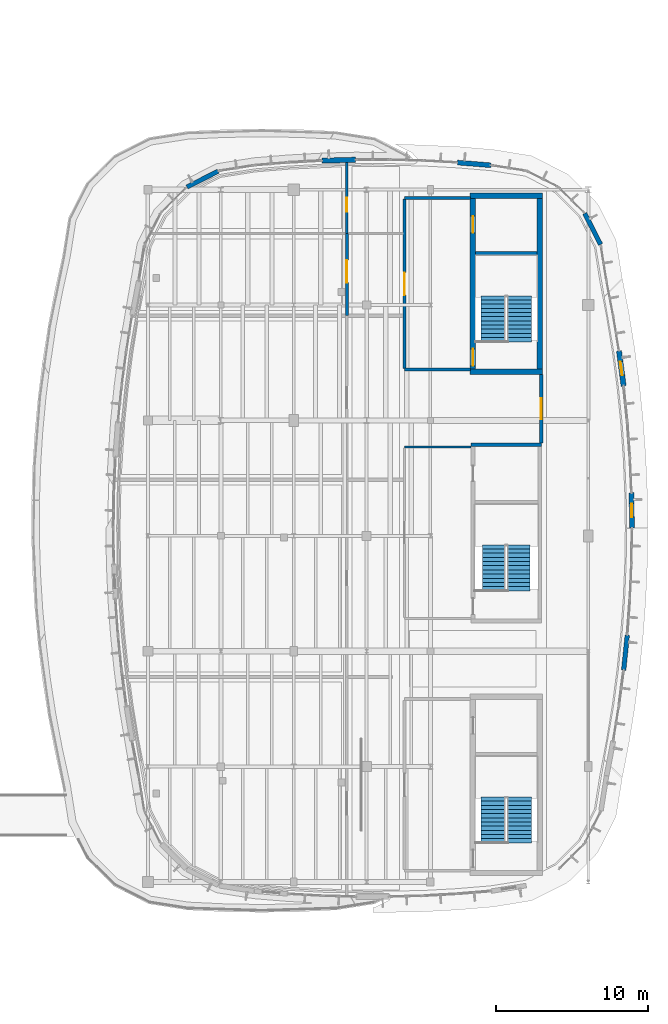
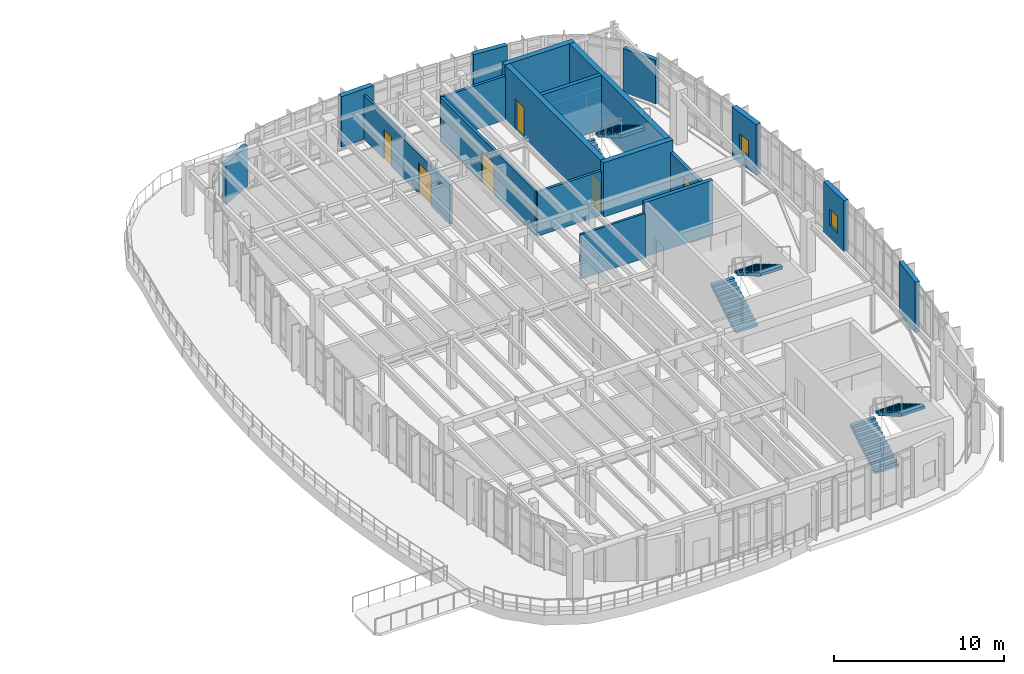
# One storey, part 87 of 105: 20 walls, 6 doors, 6 stair flights, 2 windows, 8 openings, 3 elements without a shape of their own.
"""IFC4 building model written with IfcOpenShell, lengths in metres."""

from ifc_helpers import new_model, si_unit, direction, frame, frame_2d, origin, place, context, subcontext, project, spatial, polyline, rectangle, outline, extrude, material, layer, layer_set, type_object, element, fill, aggregate, save


model = new_model("IFC4")

# Units and contexts
model_context = context("Model", 3, precision=1e-05, world=origin(), true_north=direction((0.0, 1.0)))
body_context = subcontext(model_context, "Body", "Model", "MODEL_VIEW")
ifc_project = project(units=[si_unit("LENGTHUNIT", "METRE"), si_unit("AREAUNIT", "SQUARE_METRE"), si_unit("VOLUMEUNIT", "CUBIC_METRE"), si_unit("PLANEANGLEUNIT", "RADIAN"), si_unit("MASSUNIT", "GRAM", prefix="KILO")], contexts=[model_context])

# Site, building, storey
site_placement = place(None, origin())
site = spatial("IfcSite", under=ifc_project, at=site_placement, CompositionType="ELEMENT")
building_placement = place(site_placement, origin())
building = spatial("IfcBuilding", under=site, at=building_placement, Name="Corveleigh Park Community Centre", CompositionType="ELEMENT")
storey_placement = place(building_placement, frame((0.0, 0.0, 8.699951171875)))
storey = spatial("IfcBuildingStorey", under=building, at=storey_placement, Name="L02", CompositionType="ELEMENT", Elevation=8.699951171875)

# Walls
ifc_material_1 = material(Name="Precast concrete C40/50", Category="concrete")
ifc_layer_1 = layer(ifc_material_1, 0.300048828125, Name="Precast concrete C40/50", Category="concrete")
ifc_layer_set_1 = layer_set([ifc_layer_1], Name="Precast concrete C40/50")
wall_type_1 = type_object("IfcWallType", Name="WL-EXT-300", PredefinedType="STANDARD", material=ifc_layer_set_1)
wall_1_placement = place(storey_placement, frame((170.967041015625, 74.864990234375, 0.0), z_axis=(0.0, 0.0, 1.0), x_axis=(-0.102329791642, -0.994750528395, 0.0)))
element("IfcWall", 1, at=wall_1_placement, inside=storey, type_object=wall_type_1, Name="V4 L02 Precast Facade Wall", PredefinedType="STANDARD", context=body_context, shape_type="SweptSolid", body=[
    extrude(rectangle(XDim=2.326171875, YDim=0.300048828125, at=frame_2d((1.1630859375, 0.0))), origin(), (0.0, 0.0, 1.0), 3.64208984375),
])
wall_2_placement = place(storey_placement, frame((168.166015625, 102.633056640625, 0.0), z_axis=(0.0, 0.0, 1.0), x_axis=(0.454118092615, -0.890941500863, 0.0)))
element("IfcWall", 2, at=wall_2_placement, inside=storey, type_object=wall_type_1, Name="V4 L02 Precast Facade Wall", PredefinedType="STANDARD", context=body_context, shape_type="SweptSolid", body=[
    extrude(rectangle(XDim=2.301025390625, YDim=0.300048828125, at=frame_2d((1.150390625, 0.0))), origin(), (0.0, 0.0, 1.0), 3.1669921875),
])
wall_3_placement = place(storey_placement, frame((141.967041015625, 104.365966796875, 0.0), z_axis=(0.0, 0.0, 1.0), x_axis=(0.890941500863, 0.454118092615, 0.0)))
element("IfcWall", 3, at=wall_3_placement, inside=storey, type_object=wall_type_1, Name="V4 L02 Precast Facade Wall", PredefinedType="STANDARD", context=body_context, shape_type="SweptSolid", body=[
    extrude(rectangle(XDim=2.301025390625, YDim=0.300048828125, at=frame_2d((1.150390625, 0.0))), origin(), (0.0, 0.0, 1.0), 2.945068359375),
])

# Wall, opening, window
ifc_layer_2 = layer(ifc_material_1, 0.320068359375, Name="Precast concrete C40/50", Category="concrete")
ifc_layer_set_2 = layer_set([ifc_layer_2], Name="Precast concrete C40/50")
wall_type_2 = type_object("IfcWallType", Name="WL-EXT-320", PredefinedType="STANDARD", material=ifc_layer_set_2)
wall_4_placement = place(storey_placement, frame((171.242919921875, 84.236083984375, 0.0), z_axis=(0.0, 0.0, 1.0), x_axis=(0.014685784948, -0.999892158045, 0.0)))
wall_4 = element("IfcWall", 4, at=wall_4_placement, inside=storey, type_object=wall_type_2, Name="V4 L02 Precast Facade Wall", PredefinedType="STANDARD", context=body_context, shape_type="SweptSolid", body=[
    extrude(rectangle(XDim=2.327392578125, YDim=0.320068359375, at=frame_2d((1.16357421875, 0.0))), origin(), (0.0, 0.0, 1.0), 3.64208984375),
])
opening_1_placement = place(wall_4_placement, frame((0.714111328125, 0.0, 0.89990234375)))
opening_1 = element("IfcOpeningElement", 5, at=opening_1_placement, cuts=wall_4, Name="Opening W01", PredefinedType="OPENING", context=body_context, shape_type="SweptSolid", body=[
    extrude(rectangle(XDim=0.89990234375, YDim=1.199951171875, at=frame_2d((0.449951171875, 0.60009765625))), frame((0.0, 0.169921875, 0.0), z_axis=(0.0, -1.0, 0.0), x_axis=(1.0, 0.0, 0.0)), (0.0, 0.0, 1.0), 0.340087890625),
])
ifc_material_2 = material(Name="Low-E double glazing", Category="glass")
window_type = type_object("IfcWindowType", Name="WIN-EXT-0900x1200", PartitioningType="SINGLE_PANEL", PredefinedType="WINDOW", material=ifc_material_2)
window_1_placement = place(opening_1_placement, origin())
window_1 = element("IfcWindow", 6, at=window_1_placement, inside=storey, type_object=window_type, Name="V4 L02 Window 67", OverallHeight=1.199951171875, OverallWidth=0.89990234375, PartitioningType="SINGLE_PANEL", PredefinedType="WINDOW", context=body_context, shape_type="SweptSolid", body=[
    extrude(rectangle(XDim=0.89990234375, YDim=1.199951171875, at=frame_2d((0.449951171875, 0.60009765625))), frame((0.0, 0.030029296875, 0.0), z_axis=(0.0, -1.0, 0.0), x_axis=(1.0, 0.0, 0.0)), (0.0, 0.0, 1.0), 0.06005859375),
])
fill(opening_1, window_1)

# Wall
wall_5_placement = place(storey_placement, frame((159.784912109375, 105.98291015625, 0.0), z_axis=(0.0, 0.0, 1.0), x_axis=(0.996606448947, -0.08231394728, 0.0)))
element("IfcWall", 7, at=wall_5_placement, inside=storey, type_object=wall_type_2, Name="V4 L02 Precast Facade Wall", PredefinedType="STANDARD", context=body_context, shape_type="SweptSolid", body=[
    extrude(rectangle(XDim=2.209716796875, YDim=0.320068359375, at=frame_2d((1.10498046875, 0.0))), origin(), (0.0, 0.0, 1.0), 3.612060546875),
])

# Wall, opening, window
ifc_layer_3 = layer(ifc_material_1, 0.340087890625, Name="Precast concrete C40/50", Category="concrete")
ifc_layer_set_3 = layer_set([ifc_layer_3], Name="Precast concrete C40/50")
wall_type_3 = type_object("IfcWallType", Name="WL-EXT-340", PredefinedType="STANDARD", material=ifc_layer_set_3)
wall_6_placement = place(storey_placement, frame((170.4208984375, 93.573974609375, 0.0), z_axis=(0.0, 0.0, 1.0), x_axis=(0.131558965706, -0.991308346854, 0.0)))
wall_6 = element("IfcWall", 8, at=wall_6_placement, inside=storey, type_object=wall_type_3, Name="V4 L02 Precast Facade Wall", PredefinedType="STANDARD", context=body_context, shape_type="SweptSolid", body=[
    extrude(rectangle(XDim=2.3271484375, YDim=0.340087890625, at=frame_2d((1.16357421875, 0.0))), origin(), (0.0, 0.0, 1.0), 3.64208984375),
])
opening_2_placement = place(wall_6_placement, frame((0.714111328125, 0.0, 0.89990234375)))
opening_2 = element("IfcOpeningElement", 9, at=opening_2_placement, cuts=wall_6, Name="Opening W01", PredefinedType="OPENING", context=body_context, shape_type="SweptSolid", body=[
    extrude(rectangle(XDim=0.89990234375, YDim=1.199951171875, at=frame_2d((0.449951171875, 0.60009765625))), frame((0.0, 0.179931640625, 0.0), z_axis=(0.0, -1.0, 0.0), x_axis=(1.0, 0.0, 0.0)), (0.0, 0.0, 1.0), 0.360107421875),
])
window_2_placement = place(opening_2_placement, origin())
window_2 = element("IfcWindow", 10, at=window_2_placement, inside=storey, type_object=window_type, Name="V4 L02 Window 68", OverallHeight=1.199951171875, OverallWidth=0.89990234375, PartitioningType="SINGLE_PANEL", PredefinedType="WINDOW", context=body_context, shape_type="SweptSolid", body=[
    extrude(rectangle(XDim=0.89990234375, YDim=1.199951171875, at=frame_2d((0.449951171875, 0.60009765625))), frame((0.0, 0.030029296875, 0.0), z_axis=(0.0, -1.0, 0.0), x_axis=(1.0, 0.0, 0.0)), (0.0, 0.0, 1.0), 0.06005859375),
])
fill(opening_2, window_2)

# Walls
wall_7_placement = place(storey_placement, frame((150.862060546875, 106.10693359375, 0.0), z_axis=(0.0, 0.0, 1.0), x_axis=(0.999607588296, 0.028011951393, 0.0)))
element("IfcWall", 11, at=wall_7_placement, inside=storey, type_object=wall_type_3, Name="V4 L02 Precast Facade Wall", PredefinedType="STANDARD", context=body_context, shape_type="SweptSolid", body=[
    extrude(rectangle(XDim=2.2138671875, YDim=0.340087890625, at=frame_2d((1.10693359375, 0.0))), origin(), (0.0, 0.0, 1.0), 3.636962890625),
])
ifc_material_3 = material(Name="Gypsum acoustic stud partition", Category="gypsum")
ifc_layer_4 = layer(ifc_material_3, 0.14990234375, Name="Gypsum acoustic stud partition", Category="gypsum")
ifc_layer_set_4 = layer_set([ifc_layer_4], Name="Gypsum acoustic stud partition")
wall_type_4 = type_object("IfcWallType", Name="WL-PRT-150", PredefinedType="PARTITIONING", material=ifc_layer_set_4)
wall_8_placement = place(storey_placement, frame((160.68994140625, 87.25, 0.0), z_axis=(0.0, 0.0, 1.0), x_axis=(-1.0, 0.0, 0.0)))
element("IfcWall", 12, at=wall_8_placement, inside=storey, type_object=wall_type_4, Name="CORE6 lobby north wall", PredefinedType="PARTITIONING", context=body_context, shape_type="SweptSolid", body=[
    extrude(rectangle(XDim=4.389892578125, YDim=0.14990234375, at=frame_2d((2.19482421875, 0.0))), origin(), (0.0, 0.0, 1.0), 3.205078125),
])

# Wall, opening, door
wall_9_placement = place(storey_placement, frame((152.5, 105.9951171875, 0.0), z_axis=(0.0, 0.0, 1.0), x_axis=(0.0, -1.0, 0.0)))
wall_9 = element("IfcWall", 13, at=wall_9_placement, inside=storey, type_object=wall_type_4, Name="Accessible and Public Toilets L02 corridor wall", PredefinedType="PARTITIONING", context=body_context, shape_type="SweptSolid", body=[
    extrude(rectangle(XDim=4.695068359375, YDim=0.14990234375, at=frame_2d((2.34765625, 0.0))), origin(), (0.0, 0.0, 1.0), 3.179931640625),
])
opening_3_placement = place(wall_9_placement, frame((2.318115234375, 0.0, 0.0)))
opening_3 = element("IfcOpeningElement", 14, at=opening_3_placement, cuts=wall_9, Name="Opening FD09", PredefinedType="OPENING", context=body_context, shape_type="SweptSolid", body=[
    extrude(rectangle(XDim=0.93994140625, YDim=2.10009765625, at=frame_2d((0.469970703125, 1.050048828125))), frame((0.0, 0.0849609375, 0.0), z_axis=(0.0, -1.0, 0.0), x_axis=(1.0, 0.0, 0.0)), (0.0, 0.0, 1.0), 0.169921875),
])
ifc_material_4 = material(Name="Hardwood acoustic door leaf", Category="wood")
door_type_1 = type_object("IfcDoorType", Name="DR-FIR-0940x2100", OperationType="NOTDEFINED", PredefinedType="DOOR", material=ifc_material_4)
door_1_placement = place(opening_3_placement, origin())
door_1 = element("IfcDoor", 15, at=door_1_placement, inside=storey, type_object=door_type_1, Name="Accessible and Public Toilets L02 door", OperationType="SINGLE_SWING_RIGHT", OverallHeight=2.10009765625, OverallWidth=0.93994140625, PredefinedType="DOOR", context=body_context, shape_type="SweptSolid", body=[
    extrude(rectangle(XDim=0.93994140625, YDim=2.10009765625, at=frame_2d((0.469970703125, 1.050048828125))), frame((0.0, 0.02490234375, 0.0), z_axis=(0.0, -1.0, 0.0), x_axis=(1.0, 0.0, 0.0)), (0.0, 0.0, 1.0), 0.050048828125),
])
fill(opening_3, door_1)

# Walls
ifc_layer_5 = layer(ifc_material_3, 0.179931640625, Name="Gypsum acoustic stud partition", Category="gypsum")
ifc_layer_set_5 = layer_set([ifc_layer_5], Name="Gypsum acoustic stud partition")
wall_type_5 = type_object("IfcWallType", Name="WL-PRT-180", PredefinedType="PARTITIONING", material=ifc_layer_set_5)
wall_10_placement = place(storey_placement, frame((156.300048828125, 92.35009765625, 0.0), z_axis=(0.0, 0.0, 1.0), x_axis=(1.0, 0.0, 0.0)))
element("IfcWall", 16, at=wall_10_placement, inside=storey, type_object=wall_type_5, Name="CORE2 lobby south wall", PredefinedType="PARTITIONING", context=body_context, shape_type="SweptSolid", body=[
    extrude(rectangle(XDim=4.33984375, YDim=0.179931640625, at=frame_2d((2.169921875, 0.0))), origin(), (0.0, 0.0, 1.0), 3.179931640625),
])
wall_11_placement = place(storey_placement, frame((160.639892578125, 103.64990234375, 0.0), z_axis=(0.0, 0.0, 1.0), x_axis=(-1.0, 0.0, 0.0)))
element("IfcWall", 17, at=wall_11_placement, inside=storey, type_object=wall_type_5, Name="CORE2 lobby north wall", PredefinedType="PARTITIONING", context=body_context, shape_type="SweptSolid", body=[
    extrude(rectangle(XDim=4.33984375, YDim=0.179931640625, at=frame_2d((2.169921875, 0.0))), origin(), (0.0, 0.0, 1.0), 3.155029296875),
])

# Wall, opening, door
wall_12_placement = place(storey_placement, frame((156.300048828125, 103.570068359375, 0.0), z_axis=(0.0, 0.0, 1.0), x_axis=(0.0, -1.0, 0.0)))
wall_12 = element("IfcWall", 18, at=wall_12_placement, inside=storey, type_object=wall_type_5, Name="CORE2 lobby corridor wall", PredefinedType="PARTITIONING", context=body_context, shape_type="SweptSolid", body=[
    extrude(rectangle(XDim=11.14013671875, YDim=0.179931640625, at=frame_2d((5.570068359375, 0.0))), origin(), (0.0, 0.0, 1.0), 3.179931640625),
])
opening_4_placement = place(wall_12_placement, frame((4.830078125, 0.0, 0.0)))
opening_4 = element("IfcOpeningElement", 19, at=opening_4_placement, cuts=wall_12, Name="Opening FD01", PredefinedType="OPENING", context=body_context, shape_type="SweptSolid", body=[
    extrude(rectangle(XDim=1.47998046875, YDim=2.219970703125, at=frame_2d((0.739990234375, 1.10986328125))), frame((0.0, 0.099853515625, 0.0), z_axis=(0.0, -1.0, 0.0), x_axis=(1.0, 0.0, 0.0)), (0.0, 0.0, 1.0), 0.199951171875),
])
door_type_2 = type_object("IfcDoorType", Name="DR-FIR-1480x2220", OperationType="DOUBLE_DOOR_SINGLE_SWING", PredefinedType="DOOR", material=ifc_material_4)
door_2_placement = place(opening_4_placement, origin())
door_2 = element("IfcDoor", 20, at=door_2_placement, inside=storey, type_object=door_type_2, Name="Lobby CORE2 corridor door L02", OperationType="DOUBLE_DOOR_SINGLE_SWING", OverallHeight=2.219970703125, OverallWidth=1.47998046875, PredefinedType="DOOR", context=body_context, shape_type="SweptSolid", body=[
    extrude(rectangle(XDim=1.47998046875, YDim=2.219970703125, at=frame_2d((0.739990234375, 1.10986328125))), frame((0.0, 0.02490234375, 0.0), z_axis=(0.0, -1.0, 0.0), x_axis=(1.0, 0.0, 0.0)), (0.0, 0.0, 1.0), 0.050048828125),
])
fill(opening_4, door_2)

ifc_material_5 = material(Name="Masonry blockwork 7.3 MPa", Category="masonry")
ifc_layer_6 = layer(ifc_material_5, 0.195068359375, Name="Masonry blockwork 7.3 MPa", Category="masonry")
ifc_layer_set_6 = layer_set([ifc_layer_6], Name="Masonry blockwork 7.3 MPa")
wall_type_6 = type_object("IfcWallType", Name="WL-PRT-195", PredefinedType="PARTITIONING", material=ifc_layer_set_6)
wall_13_placement = place(storey_placement, frame((152.5, 101.300048828125, 0.0), z_axis=(0.0, 0.0, 1.0), x_axis=(0.0, -1.0, 0.0)))
wall_13 = element("IfcWall", 21, at=wall_13_placement, inside=storey, type_object=wall_type_6, Name="Library Staff Workroom corridor wall", PredefinedType="PARTITIONING", context=body_context, shape_type="SweptSolid", body=[
    extrude(rectangle(XDim=5.400146484375, YDim=0.195068359375, at=frame_2d((2.7001953125, 0.0))), origin(), (0.0, 0.0, 1.0), 2.8681640625),
])
opening_5_placement = place(wall_13_placement, frame((1.739990234375, 0.0, 0.0)))
opening_5 = element("IfcOpeningElement", 22, at=opening_5_placement, cuts=wall_13, Name="Opening FD01", PredefinedType="OPENING", context=body_context, shape_type="SweptSolid", body=[
    extrude(rectangle(XDim=1.47998046875, YDim=2.219970703125, at=frame_2d((0.739990234375, 1.10986328125))), frame((0.0, 0.107421875, 0.0), z_axis=(0.0, -1.0, 0.0), x_axis=(1.0, 0.0, 0.0)), (0.0, 0.0, 1.0), 0.215087890625),
])
door_3_placement = place(opening_5_placement, origin())
door_3 = element("IfcDoor", 23, at=door_3_placement, inside=storey, type_object=door_type_2, Name="Library Staff Workroom door", OperationType="DOUBLE_DOOR_SINGLE_SWING", OverallHeight=2.219970703125, OverallWidth=1.47998046875, PredefinedType="DOOR", context=body_context, shape_type="SweptSolid", body=[
    extrude(rectangle(XDim=1.47998046875, YDim=2.219970703125, at=frame_2d((0.739990234375, 1.10986328125))), frame((0.0, 0.02490234375, 0.0), z_axis=(0.0, -1.0, 0.0), x_axis=(1.0, 0.0, 0.0)), (0.0, 0.0, 1.0), 0.050048828125),
])
fill(opening_5, door_3)

ifc_layer_7 = layer(ifc_material_5, 0.22998046875, Name="Masonry blockwork 7.3 MPa", Category="masonry")
ifc_layer_set_7 = layer_set([ifc_layer_7], Name="Masonry blockwork 7.3 MPa")
wall_type_7 = type_object("IfcWallType", Name="WL-PRT-230", PredefinedType="PARTITIONING", material=ifc_layer_set_7)
wall_14_placement = place(storey_placement, frame((165.300048828125, 87.512939453125, 0.0), z_axis=(0.0, 0.0, 1.0), x_axis=(0.0, 1.0, 0.0)))
wall_14 = element("IfcWall", 24, at=wall_14_placement, inside=storey, type_object=wall_type_7, Name="Parkside Periodicals Reading Hall corridor wall", PredefinedType="PARTITIONING", context=body_context, shape_type="SweptSolid", body=[
    extrude(rectangle(XDim=4.524169921875, YDim=0.22998046875, at=frame_2d((2.26220703125, 0.0))), origin(), (0.0, 0.0, 1.0), 3.054931640625),
])
opening_6_placement = place(wall_14_placement, frame((1.572021484375, 0.0, 0.0)))
opening_6 = element("IfcOpeningElement", 25, at=opening_6_placement, cuts=wall_14, Name="Opening FD02", PredefinedType="OPENING", context=body_context, shape_type="SweptSolid", body=[
    extrude(rectangle(XDim=1.3798828125, YDim=2.199951171875, at=frame_2d((0.68994140625, 1.10009765625))), frame((0.0, 0.125, 0.0), z_axis=(0.0, -1.0, 0.0), x_axis=(1.0, 0.0, 0.0)), (0.0, 0.0, 1.0), 0.25),
])
door_type_3 = type_object("IfcDoorType", Name="DR-FIR-1380x2200", OperationType="DOUBLE_DOOR_SINGLE_SWING", PredefinedType="DOOR", material=ifc_material_4)
door_4_placement = place(opening_6_placement, origin())
door_4 = element("IfcDoor", 26, at=door_4_placement, inside=storey, type_object=door_type_3, Name="Parkside Periodicals Reading Hall door", OperationType="DOUBLE_DOOR_SINGLE_SWING", OverallHeight=2.199951171875, OverallWidth=1.3798828125, PredefinedType="DOOR", context=body_context, shape_type="SweptSolid", body=[
    extrude(rectangle(XDim=1.3798828125, YDim=2.199951171875, at=frame_2d((0.68994140625, 1.10009765625))), frame((0.0, 0.02490234375, 0.0), z_axis=(0.0, -1.0, 0.0), x_axis=(1.0, 0.0, 0.0)), (0.0, 0.0, 1.0), 0.050048828125),
])
fill(opening_6, door_4)

# Walls
ifc_material_6 = material(Name="Concrete C40/50", Category="concrete")
ifc_layer_8 = layer(ifc_material_6, 0.25, Name="Concrete C40/50", Category="concrete")
ifc_layer_set_8 = layer_set([ifc_layer_8], Name="Concrete C40/50")
wall_type_8 = type_object("IfcWallType", Name="WL-SHR-250", PredefinedType="SHEAR", material=ifc_layer_set_8)
wall_15_placement = place(storey_placement, frame((160.97509765625, 100.0, 0.0), z_axis=(0.0, 0.0, 1.0), x_axis=(1.0, 0.0, 0.0)))
element("IfcWall", 27, at=wall_15_placement, inside=storey, type_object=wall_type_8, Name="CORE2 shaft wall", PredefinedType="SHEAR", context=body_context, shape_type="SweptSolid", body=[
    extrude(rectangle(XDim=4.0498046875, YDim=0.25, at=frame_2d((2.02490234375, 0.0))), origin(), (0.0, 0.0, 1.0), 3.900146484375),
])
wall_16_placement = place(storey_placement, frame((165.324951171875, 87.39990234375, 0.0), z_axis=(0.0, 0.0, 1.0), x_axis=(-1.0, 0.0, 0.0)))
element("IfcWall", 28, at=wall_16_placement, inside=storey, type_object=wall_type_8, Name="CORE6 north shear wall", PredefinedType="SHEAR", context=body_context, shape_type="SweptSolid", body=[
    extrude(rectangle(XDim=4.64990234375, YDim=0.25, at=frame_2d((2.324951171875, 0.0))), origin(), (0.0, 0.0, 1.0), 3.900146484375),
])
ifc_layer_9 = layer(ifc_material_6, 0.35009765625, Name="Concrete C40/50", Category="concrete")
ifc_layer_set_9 = layer_set([ifc_layer_9], Name="Concrete C40/50")
wall_type_9 = type_object("IfcWallType", Name="WL-SHR-350", PredefinedType="SHEAR", material=ifc_layer_set_9)
wall_17_placement = place(storey_placement, frame((160.625, 92.199951171875, 0.0), z_axis=(0.0, 0.0, 1.0), x_axis=(1.0, 0.0, 0.0)))
element("IfcWall", 29, at=wall_17_placement, inside=storey, type_object=wall_type_9, Name="CORE2 south shear wall", PredefinedType="SHEAR", context=body_context, shape_type="SweptSolid", body=[
    extrude(rectangle(XDim=4.75, YDim=0.35009765625, at=frame_2d((2.375, 0.0))), origin(), (0.0, 0.0, 1.0), 3.900146484375),
])
wall_18_placement = place(storey_placement, frame((165.199951171875, 92.375, 0.0), z_axis=(0.0, 0.0, 1.0), x_axis=(0.0, 1.0, 0.0)))
element("IfcWall", 30, at=wall_18_placement, inside=storey, type_object=wall_type_9, Name="CORE2 east shear wall", PredefinedType="SHEAR", context=body_context, shape_type="SweptSolid", body=[
    extrude(rectangle(XDim=11.25, YDim=0.35009765625, at=frame_2d((5.625, 0.0))), origin(), (0.0, 0.0, 1.0), 3.900146484375),
])
wall_19_placement = place(storey_placement, frame((165.375, 103.800048828125, 0.0), z_axis=(0.0, 0.0, 1.0), x_axis=(-1.0, 0.0, 0.0)))
element("IfcWall", 31, at=wall_19_placement, inside=storey, type_object=wall_type_9, Name="CORE2 north shear wall", PredefinedType="SHEAR", context=body_context, shape_type="SweptSolid", body=[
    extrude(rectangle(XDim=4.75, YDim=0.35009765625, at=frame_2d((2.375, 0.0))), origin(), (0.0, 0.0, 1.0), 3.900146484375),
])

# Wall, openings, doors
wall_20_placement = place(storey_placement, frame((160.800048828125, 103.625, 0.0), z_axis=(0.0, 0.0, 1.0), x_axis=(0.0, -1.0, 0.0)))
wall_20 = element("IfcWall", 32, at=wall_20_placement, inside=storey, type_object=wall_type_9, Name="CORE2 west lobby wall", PredefinedType="SHEAR", context=body_context, shape_type="SweptSolid", body=[
    extrude(rectangle(XDim=11.25, YDim=0.35009765625, at=frame_2d((5.625, 0.0))), origin(), (0.0, 0.0, 1.0), 3.900146484375),
])
opening_7_placement = place(wall_20_placement, frame((1.175048828125, 0.0, 0.0)))
opening_7 = element("IfcOpeningElement", 33, at=opening_7_placement, cuts=wall_20, Name="Opening LD01", PredefinedType="OPENING", context=body_context, shape_type="SweptSolid", body=[
    extrude(rectangle(XDim=1.10009765625, YDim=2.199951171875, at=frame_2d((0.550048828125, 1.10009765625))), frame((0.0, 0.18505859375, 0.0), z_axis=(0.0, -1.0, 0.0), x_axis=(1.0, 0.0, 0.0)), (0.0, 0.0, 1.0), 0.3701171875),
])
opening_8_placement = place(wall_20_placement, frame((9.9150390625, 0.0, 0.0)))
opening_8 = element("IfcOpeningElement", 34, at=opening_8_placement, cuts=wall_20, Name="Opening FD03", PredefinedType="OPENING", context=body_context, shape_type="SweptSolid", body=[
    extrude(rectangle(XDim=1.1201171875, YDim=2.159912109375, at=frame_2d((0.56005859375, 1.080078125))), frame((0.0, 0.18505859375, 0.0), z_axis=(0.0, -1.0, 0.0), x_axis=(1.0, 0.0, 0.0)), (0.0, 0.0, 1.0), 0.3701171875),
])
door_type_4 = type_object("IfcDoorType", Name="DR-FIR-1120x2160", OperationType="NOTDEFINED", PredefinedType="DOOR", material=ifc_material_4)
door_5_placement = place(opening_8_placement, origin())
door_5 = element("IfcDoor", 35, at=door_5_placement, inside=storey, type_object=door_type_4, Name="Stair ST2 fire door L02", OperationType="SINGLE_SWING_RIGHT", OverallHeight=2.159912109375, OverallWidth=1.1201171875, PredefinedType="DOOR", context=body_context, shape_type="SweptSolid", body=[
    extrude(rectangle(XDim=1.1201171875, YDim=2.159912109375, at=frame_2d((0.56005859375, 1.080078125))), frame((0.0, 0.02490234375, 0.0), z_axis=(0.0, -1.0, 0.0), x_axis=(1.0, 0.0, 0.0)), (0.0, 0.0, 1.0), 0.050048828125),
])
fill(opening_8, door_5)
ifc_material_7 = material(Name="Brushed stainless steel lift car", Category="steel")
door_type_5 = type_object("IfcDoorType", Name="DR-LFT-1100x2200", OperationType="DOUBLE_DOOR_SLIDING", PredefinedType="DOOR", material=ifc_material_7)
door_6_placement = place(opening_7_placement, origin())
door_6 = element("IfcDoor", 36, at=door_6_placement, inside=storey, type_object=door_type_5, Name="Lift FL2 landing door L02", OperationType="DOUBLE_DOOR_SLIDING", OverallHeight=2.199951171875, OverallWidth=1.10009765625, PredefinedType="DOOR", context=body_context, shape_type="SweptSolid", body=[
    extrude(rectangle(XDim=1.10009765625, YDim=2.199951171875, at=frame_2d((0.550048828125, 1.10009765625))), frame((0.0, 0.02490234375, 0.0), z_axis=(0.0, -1.0, 0.0), x_axis=(1.0, 0.0, 0.0)), (0.0, 0.0, 1.0), 0.050048828125),
])
fill(opening_7, door_6)

# Stair, stair flights
ifc_material_8 = material(Name="Concrete C32/40", Category="concrete")
stair_type_1 = type_object("IfcStairType", Name="STR-HT-1500-390", PredefinedType="USERDEFINED", material=ifc_material_8)
stair_1_placement = place(storey_placement, origin())
stair_1 = element("IfcStair", 37, at=stair_1_placement, inside=storey, type_object=stair_type_1, Name="Protected escape stair ST6 (L02 to L03)", ObjectType="TWO_RETURN_STAIR", PredefinedType="USERDEFINED")
ifc_layer_10 = layer(ifc_material_8, 0.175048828125, Name="Concrete C32/40", Category="concrete")
ifc_layer_set_10 = layer_set([ifc_layer_10], Name="Concrete C32/40")
stair_flight_type_1 = type_object("IfcStairFlightType", Name="FLG-RC-1500", PredefinedType="STRAIGHT", material=ifc_layer_set_10)
stair_flight_1_placement = place(storey_placement, frame((162.179931640625, 77.780029296875, 0.0), z_axis=(0.0, 0.0, 1.0), x_axis=(0.0, 1.0, 0.0)))
stair_flight_1 = element("IfcStairFlight", 38, at=stair_flight_1_placement, type_object=stair_flight_type_1, Name="ST6 flight 1", NumberOfRisers=12, NumberOfTreads=11, PredefinedType="STRAIGHT", RiserHeight=0.1625, TreadLength=0.275, context=body_context, shape_type="SweptSolid", body=[
    extrude(outline(polyline([(0.0, 0.0), (0.0, 0.16259765625), (0.27490234375, 0.16259765625), (0.27490234375, 0.324951171875), (0.550048828125, 0.324951171875), (0.550048828125, 0.487548828125), (0.824951171875, 0.487548828125), (0.824951171875, 0.64990234375), (1.10009765625, 0.64990234375), (1.10009765625, 0.8125), (1.375, 0.8125), (1.375, 0.97509765625), (1.64990234375, 0.97509765625), (1.64990234375, 1.137451171875), (1.925048828125, 1.137451171875), (1.925048828125, 1.300048828125), (2.199951171875, 1.300048828125), (2.199951171875, 1.46240234375), (2.47509765625, 1.46240234375), (2.47509765625, 1.625), (2.75, 1.625), (2.75, 1.78759765625), (3.02490234375, 1.78759765625), (3.02490234375, 1.949951171875), (3.02490234375, 1.584228515625), (0.343994140625, 0.0), (0.0, 0.0)])), frame((0.0, 0.75, 0.0), z_axis=(0.0, -1.0, 0.0), x_axis=(1.0, 0.0, 0.0)), (0.0, 0.0, 1.0), 1.5),
])
stair_flight_2_placement = place(storey_placement, frame((163.820068359375, 80.804931640625, 1.949951171875), z_axis=(0.0, 0.0, 1.0), x_axis=(0.0, -1.0, 0.0)))
stair_flight_2 = element("IfcStairFlight", 39, at=stair_flight_2_placement, type_object=stair_flight_type_1, Name="ST6 flight 2", NumberOfRisers=12, NumberOfTreads=11, PredefinedType="STRAIGHT", RiserHeight=0.1625, TreadLength=0.275, context=body_context, shape_type="SweptSolid", body=[
    extrude(outline(polyline([(0.0, 0.0), (0.0, 0.16259765625), (0.27490234375, 0.16259765625), (0.27490234375, 0.324951171875), (0.550048828125, 0.324951171875), (0.550048828125, 0.487548828125), (0.824951171875, 0.487548828125), (0.824951171875, 0.64990234375), (1.10009765625, 0.64990234375), (1.10009765625, 0.8125), (1.375, 0.8125), (1.375, 0.97509765625), (1.64990234375, 0.97509765625), (1.64990234375, 1.137451171875), (1.925048828125, 1.137451171875), (1.925048828125, 1.300048828125), (2.199951171875, 1.300048828125), (2.199951171875, 1.46240234375), (2.47509765625, 1.46240234375), (2.47509765625, 1.625), (2.75, 1.625), (2.75, 1.78759765625), (3.02490234375, 1.78759765625), (3.02490234375, 1.949951171875), (3.02490234375, 1.584228515625), (0.343994140625, 0.0), (0.0, 0.0)])), frame((0.0, 0.75, 0.0), z_axis=(0.0, -1.0, 0.0), x_axis=(1.0, 0.0, 0.0)), (0.0, 0.0, 1.0), 1.5),
])
aggregate(stair_1, [stair_flight_1, stair_flight_2])

stair_type_2 = type_object("IfcStairType", Name="STR-HT-1600-390", PredefinedType="USERDEFINED", material=ifc_material_8)
stair_2_placement = place(storey_placement, origin())
stair_2 = element("IfcStair", 40, at=stair_2_placement, inside=storey, type_object=stair_type_2, Name="Protected escape stair ST1 (L02 to L03)", ObjectType="TWO_RETURN_STAIR", PredefinedType="USERDEFINED")
ifc_layer_11 = layer(ifc_material_8, 0.179931640625, Name="Concrete C32/40", Category="concrete")
ifc_layer_set_11 = layer_set([ifc_layer_11], Name="Concrete C32/40")
stair_flight_type_2 = type_object("IfcStairFlightType", Name="FLG-RC-1600", PredefinedType="STRAIGHT", material=ifc_layer_set_11)
stair_flight_3_placement = place(storey_placement, frame((162.1298828125, 61.179931640625, 0.0), z_axis=(0.0, 0.0, 1.0), x_axis=(0.0, 1.0, 0.0)))
stair_flight_3 = element("IfcStairFlight", 41, at=stair_flight_3_placement, type_object=stair_flight_type_2, Name="ST1 flight 1", NumberOfRisers=12, NumberOfTreads=11, PredefinedType="STRAIGHT", RiserHeight=0.1625, TreadLength=0.275, context=body_context, shape_type="SweptSolid", body=[
    extrude(outline(polyline([(0.0, 0.0), (0.0, 0.16259765625), (0.27490234375, 0.16259765625), (0.27490234375, 0.324951171875), (0.550048828125, 0.324951171875), (0.550048828125, 0.487548828125), (0.824951171875, 0.487548828125), (0.824951171875, 0.64990234375), (1.10009765625, 0.64990234375), (1.10009765625, 0.8125), (1.375, 0.8125), (1.375, 0.97509765625), (1.64990234375, 0.97509765625), (1.64990234375, 1.137451171875), (1.925048828125, 1.137451171875), (1.925048828125, 1.300048828125), (2.199951171875, 1.300048828125), (2.199951171875, 1.46240234375), (2.47509765625, 1.46240234375), (2.47509765625, 1.625), (2.75, 1.625), (2.75, 1.78759765625), (3.02490234375, 1.78759765625), (3.02490234375, 1.949951171875), (3.02490234375, 1.57861328125), (0.353759765625, 0.0), (0.0, 0.0)])), frame((0.0, 0.800048828125, 0.0), z_axis=(0.0, -1.0, 0.0), x_axis=(1.0, 0.0, 0.0)), (0.0, 0.0, 1.0), 1.60009765625),
])
stair_flight_4_placement = place(storey_placement, frame((163.8701171875, 64.205078125, 1.949951171875), z_axis=(0.0, 0.0, 1.0), x_axis=(0.0, -1.0, 0.0)))
stair_flight_4 = element("IfcStairFlight", 42, at=stair_flight_4_placement, type_object=stair_flight_type_2, Name="ST1 flight 2", NumberOfRisers=12, NumberOfTreads=11, PredefinedType="STRAIGHT", RiserHeight=0.1625, TreadLength=0.275, context=body_context, shape_type="SweptSolid", body=[
    extrude(outline(polyline([(0.0, 0.0), (0.0, 0.16259765625), (0.27490234375, 0.16259765625), (0.27490234375, 0.324951171875), (0.550048828125, 0.324951171875), (0.550048828125, 0.487548828125), (0.824951171875, 0.487548828125), (0.824951171875, 0.64990234375), (1.10009765625, 0.64990234375), (1.10009765625, 0.8125), (1.375, 0.8125), (1.375, 0.97509765625), (1.64990234375, 0.97509765625), (1.64990234375, 1.137451171875), (1.925048828125, 1.137451171875), (1.925048828125, 1.300048828125), (2.199951171875, 1.300048828125), (2.199951171875, 1.46240234375), (2.47509765625, 1.46240234375), (2.47509765625, 1.625), (2.75, 1.625), (2.75, 1.78759765625), (3.02490234375, 1.78759765625), (3.02490234375, 1.949951171875), (3.02490234375, 1.57861328125), (0.353759765625, 0.0), (0.0, 0.0)])), frame((0.0, 0.800048828125, 0.0), z_axis=(0.0, -1.0, 0.0), x_axis=(1.0, 0.0, 0.0)), (0.0, 0.0, 1.0), 1.60009765625),
])
aggregate(stair_2, [stair_flight_3, stair_flight_4])

stair_3_placement = place(storey_placement, origin())
stair_3 = element("IfcStair", 43, at=stair_3_placement, inside=storey, type_object=stair_type_2, Name="Protected escape stair ST2 (L02 to L03)", ObjectType="TWO_RETURN_STAIR", PredefinedType="USERDEFINED")
stair_flight_5_placement = place(storey_placement, frame((162.1298828125, 94.179931640625, 0.0), z_axis=(0.0, 0.0, 1.0), x_axis=(0.0, 1.0, 0.0)))
stair_flight_5 = element("IfcStairFlight", 44, at=stair_flight_5_placement, type_object=stair_flight_type_2, Name="ST2 flight 1", NumberOfRisers=12, NumberOfTreads=11, PredefinedType="STRAIGHT", RiserHeight=0.1625, TreadLength=0.275, context=body_context, shape_type="SweptSolid", body=[
    extrude(outline(polyline([(0.0, 0.0), (0.0, 0.16259765625), (0.27490234375, 0.16259765625), (0.27490234375, 0.324951171875), (0.550048828125, 0.324951171875), (0.550048828125, 0.487548828125), (0.824951171875, 0.487548828125), (0.824951171875, 0.64990234375), (1.10009765625, 0.64990234375), (1.10009765625, 0.8125), (1.375, 0.8125), (1.375, 0.97509765625), (1.64990234375, 0.97509765625), (1.64990234375, 1.137451171875), (1.925048828125, 1.137451171875), (1.925048828125, 1.300048828125), (2.199951171875, 1.300048828125), (2.199951171875, 1.46240234375), (2.47509765625, 1.46240234375), (2.47509765625, 1.625), (2.75, 1.625), (2.75, 1.78759765625), (3.02490234375, 1.78759765625), (3.02490234375, 1.949951171875), (3.02490234375, 1.57861328125), (0.353759765625, 0.0), (0.0, 0.0)])), frame((0.0, 0.800048828125, 0.0), z_axis=(0.0, -1.0, 0.0), x_axis=(1.0, 0.0, 0.0)), (0.0, 0.0, 1.0), 1.60009765625),
])
stair_flight_6_placement = place(storey_placement, frame((163.8701171875, 97.205078125, 1.949951171875), z_axis=(0.0, 0.0, 1.0), x_axis=(0.0, -1.0, 0.0)))
stair_flight_6 = element("IfcStairFlight", 45, at=stair_flight_6_placement, type_object=stair_flight_type_2, Name="ST2 flight 2", NumberOfRisers=12, NumberOfTreads=11, PredefinedType="STRAIGHT", RiserHeight=0.1625, TreadLength=0.275, context=body_context, shape_type="SweptSolid", body=[
    extrude(outline(polyline([(0.0, 0.0), (0.0, 0.16259765625), (0.27490234375, 0.16259765625), (0.27490234375, 0.324951171875), (0.550048828125, 0.324951171875), (0.550048828125, 0.487548828125), (0.824951171875, 0.487548828125), (0.824951171875, 0.64990234375), (1.10009765625, 0.64990234375), (1.10009765625, 0.8125), (1.375, 0.8125), (1.375, 0.97509765625), (1.64990234375, 0.97509765625), (1.64990234375, 1.137451171875), (1.925048828125, 1.137451171875), (1.925048828125, 1.300048828125), (2.199951171875, 1.300048828125), (2.199951171875, 1.46240234375), (2.47509765625, 1.46240234375), (2.47509765625, 1.625), (2.75, 1.625), (2.75, 1.78759765625), (3.02490234375, 1.78759765625), (3.02490234375, 1.949951171875), (3.02490234375, 1.57861328125), (0.353759765625, 0.0), (0.0, 0.0)])), frame((0.0, 0.800048828125, 0.0), z_axis=(0.0, -1.0, 0.0), x_axis=(1.0, 0.0, 0.0)), (0.0, 0.0, 1.0), 1.60009765625),
])
aggregate(stair_3, [stair_flight_5, stair_flight_6])

save(model, "model.ifc")
